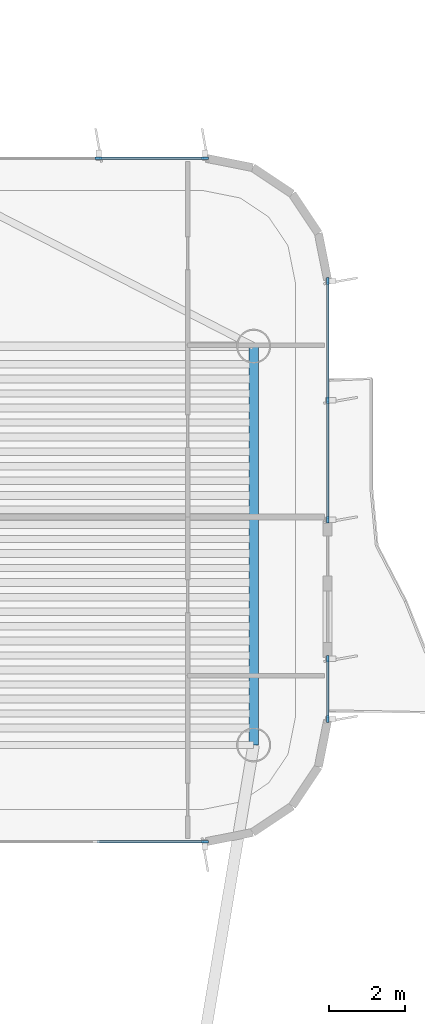
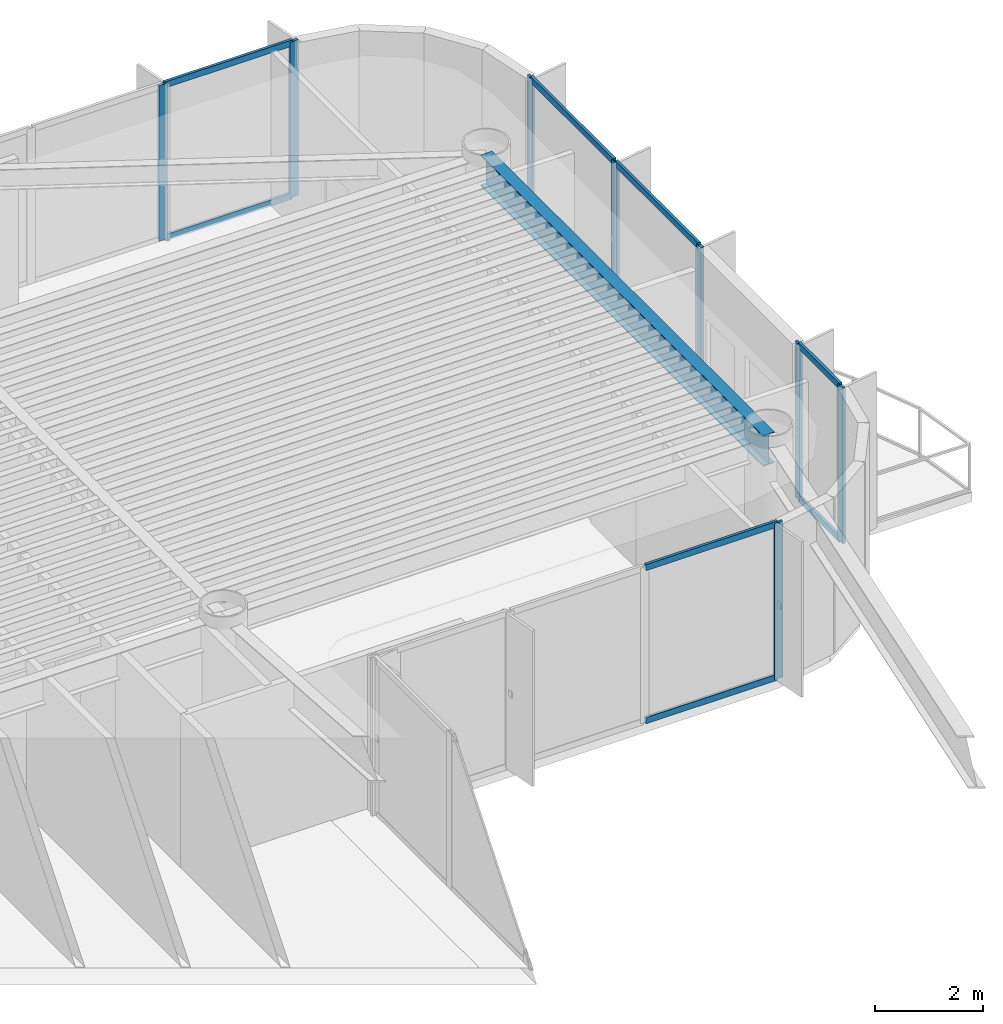
# One storey, part 8 of 16: 18 members, 1 beam, 4 elements without a shape of their own.
"""IFC4 building model written with IfcOpenShell, lengths in metres."""

from ifc_helpers import new_model, si_unit, direction, frame, origin, origin_2d, place, context, subcontext, project, spatial, rectangle, i_section, extrude, source, transform, mapped, material, layer, layer_set, material_profile, profile_set, type_object, element, aggregate, save


model = new_model("IFC4")

# Units and contexts
model_context = context("Model", 3, precision=1e-05, world=origin(), true_north=direction((0.0, 1.0)))
body_context = subcontext(model_context, "Body", "Model", "MODEL_VIEW")
ifc_project = project(units=[si_unit("LENGTHUNIT", "METRE"), si_unit("AREAUNIT", "SQUARE_METRE"), si_unit("VOLUMEUNIT", "CUBIC_METRE"), si_unit("PLANEANGLEUNIT", "RADIAN"), si_unit("MASSUNIT", "GRAM", prefix="KILO")], contexts=[model_context])

# Site, building, storey
site_placement = place(None, origin())
site = spatial("IfcSite", under=ifc_project, at=site_placement, CompositionType="ELEMENT")
building_placement = place(site_placement, origin())
building = spatial("IfcBuilding", under=site, at=building_placement, Name="Brelvock Crest Care Tower", CompositionType="ELEMENT")
storey_placement = place(building_placement, frame((0.0, 0.0, 226.800048828125)))
storey = spatial("IfcBuildingStorey", under=building, at=storey_placement, Name="L57", CompositionType="ELEMENT", Elevation=226.800048828125)

# Beam
ifc_material_1 = material(Name="Steel Grade 350", Category="steel")
ifc_material_profile_1 = material_profile(ifc_material_1, i_section(OverallWidth=0.25, OverallDepth=0.699951171875, WebThickness=0.011962890625, FlangeThickness=0.02001953125, at=origin_2d()), Name="700WB150")
ifc_profile_set_1 = profile_set([ifc_material_profile_1], Name="Steel Grade 350")
beam_type = type_object("IfcBeamType", Name="BM-G4", PredefinedType="BEAM", material=ifc_profile_set_1)
shared_shape_1 = source(origin(), body_context, "Body", "SweptSolid", [
    extrude(i_section(OverallWidth=0.25, OverallDepth=0.699951171875, WebThickness=0.011962890625, FlangeThickness=0.02001953125, at=origin_2d()), origin(), (0.0, 0.0, 1.0), 10.5),
])
beam_placement = place(storey_placement, frame((52.35009765625, 43.949951171875, 3.179931640625), z_axis=(0.0, 1.0, 0.0), x_axis=(-1.0, 0.0, 0.0)))
element("IfcBeam", 1, at=beam_placement, inside=storey, type_object=beam_type, Name="BM-TWR-L57-02", PredefinedType="BEAM", context=body_context, shape_type="MappedRepresentation", body=[
    mapped(shared_shape_1, transform((0.0, 0.0, 0.0), x_axis=(1.0, 0.0, 0.0), y_axis=(0.0, 1.0, 0.0), z_axis=(0.0, 0.0, 1.0), scale=1.0)),
])

# Curtain wall, members
ifc_material_2 = material(Name="Dark Glass Double Glazed Low-E", Category="glass")
ifc_layer = layer(ifc_material_2, 0.239990234375, Name="CWS-5")
ifc_layer_set = layer_set([ifc_layer], Name="Dark Glass Double Glazed Low-E")
curtain_wall_type = type_object("IfcCurtainWallType", Name="CWS-5", PredefinedType="NOTDEFINED", material=ifc_layer_set)
curtain_wall_1_placement = place(storey_placement, origin())
curtain_wall_1 = element("IfcCurtainWall", 2, at=curtain_wall_1_placement, inside=storey, type_object=curtain_wall_type, Name="L57 Curtain Wall E34", PredefinedType="NOTDEFINED")
ifc_material_3 = material(Name="Aluminium 6063-T6", Category="aluminium")
ifc_material_profile_2 = material_profile(ifc_material_3, rectangle(XDim=0.06005859375, YDim=0.179931640625, at=origin_2d()), Name="ALU60x180")
ifc_profile_set_2 = profile_set([ifc_material_profile_2], Name="Aluminium 6063-T6")
member_type_1 = type_object("IfcMemberType", Name="CWM-2", PredefinedType="MULLION", material=ifc_profile_set_2)
shared_shape_2 = source(origin(), body_context, "Body", "SweptSolid", [
    extrude(rectangle(XDim=0.06005859375, YDim=0.179931640625, at=origin_2d()), origin(), (0.0, 0.0, 1.0), 3.530029296875),
])
member_1_placement = place(storey_placement, frame((48.2666015625, 59.39990234375, 0.0), z_axis=(0.0, 0.0, 1.0), x_axis=(0.0, 1.0, 0.0)))
member_1 = element("IfcMember", 3, at=member_1_placement, type_object=member_type_1, Name="CW-5 mullion 3", PredefinedType="MULLION", context=body_context, shape_type="MappedRepresentation", body=[
    mapped(shared_shape_2, transform((0.0, 0.0, 0.0), x_axis=(1.0, 0.0, 0.0), y_axis=(0.0, 1.0, 0.0), z_axis=(0.0, 0.0, 1.0), scale=1.0)),
])
member_2_placement = place(storey_placement, frame((51.070068359375, 59.39990234375, 0.0), z_axis=(0.0, 0.0, 1.0), x_axis=(0.0, 1.0, 0.0)))
member_2 = element("IfcMember", 4, at=member_2_placement, type_object=member_type_1, Name="CW-5 mullion 4", PredefinedType="MULLION", context=body_context, shape_type="MappedRepresentation", body=[
    mapped(shared_shape_2, transform((0.0, 0.0, 0.0), x_axis=(1.0, 0.0, 0.0), y_axis=(0.0, 1.0, 0.0), z_axis=(0.0, 0.0, 1.0), scale=1.0)),
])

curtain_wall_2_placement = place(storey_placement, origin())
curtain_wall_2 = element("IfcCurtainWall", 5, at=curtain_wall_2_placement, inside=storey, type_object=curtain_wall_type, Name="L57 Curtain Wall E39A", PredefinedType="NOTDEFINED")
member_3_placement = place(storey_placement, frame((54.300048828125, 56.169921875, 0.0), z_axis=(0.0, 0.0, 1.0), x_axis=(1.0, 0.0, 0.0)))
member_3 = element("IfcMember", 6, at=member_3_placement, type_object=member_type_1, Name="CW-5 mullion 1", PredefinedType="MULLION", context=body_context, shape_type="MappedRepresentation", body=[
    mapped(shared_shape_2, transform((0.0, 0.0, 0.0), x_axis=(1.0, 0.0, 0.0), y_axis=(0.0, 1.0, 0.0), z_axis=(0.0, 0.0, 1.0), scale=1.0)),
])
member_4_placement = place(storey_placement, frame((54.300048828125, 53.02490234375, 0.0), z_axis=(0.0, 0.0, 1.0), x_axis=(1.0, 0.0, 0.0)))
member_4 = element("IfcMember", 7, at=member_4_placement, type_object=member_type_1, Name="CW-5 mullion 2", PredefinedType="MULLION", context=body_context, shape_type="MappedRepresentation", body=[
    mapped(shared_shape_2, transform((0.0, 0.0, 0.0), x_axis=(1.0, 0.0, 0.0), y_axis=(0.0, 1.0, 0.0), z_axis=(0.0, 0.0, 1.0), scale=1.0)),
])
member_5_placement = place(storey_placement, frame((54.300048828125, 49.8798828125, 0.0), z_axis=(0.0, 0.0, 1.0), x_axis=(1.0, 0.0, 0.0)))
member_5 = element("IfcMember", 8, at=member_5_placement, type_object=member_type_1, Name="CW-5 mullion 3", PredefinedType="MULLION", context=body_context, shape_type="MappedRepresentation", body=[
    mapped(shared_shape_2, transform((0.0, 0.0, 0.0), x_axis=(1.0, 0.0, 0.0), y_axis=(0.0, 1.0, 0.0), z_axis=(0.0, 0.0, 1.0), scale=1.0)),
])

curtain_wall_3_placement = place(storey_placement, origin())
curtain_wall_3 = element("IfcCurtainWall", 9, at=curtain_wall_3_placement, inside=storey, type_object=curtain_wall_type, Name="L57 Curtain Wall E39B", PredefinedType="NOTDEFINED")
member_6_placement = place(storey_placement, frame((54.300048828125, 46.219970703125, 0.0), z_axis=(0.0, 0.0, 1.0), x_axis=(1.0, 0.0, 0.0)))
member_6 = element("IfcMember", 10, at=member_6_placement, type_object=member_type_1, Name="CW-5 mullion 1", PredefinedType="MULLION", context=body_context, shape_type="MappedRepresentation", body=[
    mapped(shared_shape_2, transform((0.0, 0.0, 0.0), x_axis=(1.0, 0.0, 0.0), y_axis=(0.0, 1.0, 0.0), z_axis=(0.0, 0.0, 1.0), scale=1.0)),
])
member_7_placement = place(storey_placement, frame((54.300048828125, 44.6298828125, 0.0), z_axis=(0.0, 0.0, 1.0), x_axis=(1.0, 0.0, 0.0)))
member_7 = element("IfcMember", 11, at=member_7_placement, type_object=member_type_1, Name="CW-5 mullion 2", PredefinedType="MULLION", context=body_context, shape_type="MappedRepresentation", body=[
    mapped(shared_shape_2, transform((0.0, 0.0, 0.0), x_axis=(1.0, 0.0, 0.0), y_axis=(0.0, 1.0, 0.0), z_axis=(0.0, 0.0, 1.0), scale=1.0)),
])

# Curtain wall, member
curtain_wall_4_placement = place(storey_placement, origin())
curtain_wall_4 = element("IfcCurtainWall", 12, at=curtain_wall_4_placement, inside=storey, type_object=curtain_wall_type, Name="L57 Curtain Wall E44", PredefinedType="NOTDEFINED")
member_8_placement = place(storey_placement, frame((51.070068359375, 41.39990234375, 0.0), z_axis=(0.0, 0.0, 1.0), x_axis=(0.0, -1.0, 0.0)))
member_8 = element("IfcMember", 13, at=member_8_placement, type_object=member_type_1, Name="CW-5 mullion 1", PredefinedType="MULLION", context=body_context, shape_type="MappedRepresentation", body=[
    mapped(shared_shape_2, transform((0.0, 0.0, 0.0), x_axis=(1.0, 0.0, 0.0), y_axis=(0.0, 1.0, 0.0), z_axis=(0.0, 0.0, 1.0), scale=1.0)),
])

# Member
ifc_material_profile_3 = material_profile(ifc_material_3, rectangle(XDim=0.06005859375, YDim=0.139892578125, at=origin_2d()), Name="ALU60x140")
ifc_profile_set_3 = profile_set([ifc_material_profile_3], Name="Aluminium 6063-T6")
member_type_2 = type_object("IfcMemberType", Name="CWT-2", PredefinedType="USERDEFINED", material=ifc_profile_set_3)
shared_shape_3 = source(origin(), body_context, "Body", "SweptSolid", [
    extrude(rectangle(XDim=0.06005859375, YDim=0.139892578125, at=origin_2d()), origin(), (0.0, 0.0, 1.0), 1.530029296875),
])
member_9_placement = place(storey_placement, frame((54.300048828125, 46.18994140625, 0.030029296875), z_axis=(0.0, -1.0, 0.0), x_axis=(1.0, 0.0, 0.0)))
member_9 = element("IfcMember", 14, at=member_9_placement, type_object=member_type_2, Name="CW-5 transom 1.1", ObjectType="TRANSOM", PredefinedType="USERDEFINED", context=body_context, shape_type="MappedRepresentation", body=[
    mapped(shared_shape_3, transform((0.0, 0.0, 0.0), x_axis=(1.0, 0.0, 0.0), y_axis=(0.0, 1.0, 0.0), z_axis=(0.0, 0.0, 1.0), scale=1.0)),
])

member_10_placement = place(storey_placement, frame((54.300048828125, 46.18994140625, 3.5), z_axis=(0.0, -1.0, 0.0), x_axis=(1.0, 0.0, 0.0)))
member_10 = element("IfcMember", 15, at=member_10_placement, type_object=member_type_2, Name="CW-5 transom 1.2", ObjectType="TRANSOM", PredefinedType="USERDEFINED", context=body_context, shape_type="MappedRepresentation", body=[
    mapped(shared_shape_3, transform((0.0, 0.0, 0.0), x_axis=(1.0, 0.0, 0.0), y_axis=(0.0, 1.0, 0.0), z_axis=(0.0, 0.0, 1.0), scale=1.0)),
])

aggregate(curtain_wall_3, [member_6, member_7, member_9, member_10])

shared_shape_4 = source(origin(), body_context, "Body", "SweptSolid", [
    extrude(rectangle(XDim=0.06005859375, YDim=0.139892578125, at=origin_2d()), origin(), (0.0, 0.0, 1.0), 2.81005859375),
])
member_11_placement = place(storey_placement, frame((51.0400390625, 41.39990234375, 0.030029296875), z_axis=(-1.0, 0.0, 0.0), x_axis=(0.0, -1.0, 0.0)))
member_11 = element("IfcMember", 16, at=member_11_placement, type_object=member_type_2, Name="CW-5 transom 1.1", ObjectType="TRANSOM", PredefinedType="USERDEFINED", context=body_context, shape_type="MappedRepresentation", body=[
    mapped(shared_shape_4, transform((0.0, 0.0, 0.0), x_axis=(1.0, 0.0, 0.0), y_axis=(0.0, 1.0, 0.0), z_axis=(0.0, 0.0, 1.0), scale=1.0)),
])

member_12_placement = place(storey_placement, frame((51.0400390625, 41.39990234375, 3.5), z_axis=(-1.0, 0.0, 0.0), x_axis=(0.0, -1.0, 0.0)))
member_12 = element("IfcMember", 17, at=member_12_placement, type_object=member_type_2, Name="CW-5 transom 1.2", ObjectType="TRANSOM", PredefinedType="USERDEFINED", context=body_context, shape_type="MappedRepresentation", body=[
    mapped(shared_shape_4, transform((0.0, 0.0, 0.0), x_axis=(1.0, 0.0, 0.0), y_axis=(0.0, 1.0, 0.0), z_axis=(0.0, 0.0, 1.0), scale=1.0)),
])

aggregate(curtain_wall_4, [member_8, member_11, member_12])

shared_shape_5 = source(origin(), body_context, "Body", "SweptSolid", [
    extrude(rectangle(XDim=0.06005859375, YDim=0.139892578125, at=origin_2d()), origin(), (0.0, 0.0, 1.0), 3.085205078125),
])
member_13_placement = place(storey_placement, frame((54.300048828125, 52.9951171875, 0.030029296875), z_axis=(0.0, -1.0, 0.0), x_axis=(1.0, 0.0, 0.0)))
member_13 = element("IfcMember", 18, at=member_13_placement, type_object=member_type_2, Name="CW-5 transom 2.1", ObjectType="TRANSOM", PredefinedType="USERDEFINED", context=body_context, shape_type="MappedRepresentation", body=[
    mapped(shared_shape_5, transform((0.0, 0.0, 0.0), x_axis=(1.0, 0.0, 0.0), y_axis=(0.0, 1.0, 0.0), z_axis=(0.0, 0.0, 1.0), scale=1.0)),
])

member_14_placement = place(storey_placement, frame((54.300048828125, 52.9951171875, 3.5), z_axis=(0.0, -1.0, 0.0), x_axis=(1.0, 0.0, 0.0)))
member_14 = element("IfcMember", 19, at=member_14_placement, type_object=member_type_2, Name="CW-5 transom 2.2", ObjectType="TRANSOM", PredefinedType="USERDEFINED", context=body_context, shape_type="MappedRepresentation", body=[
    mapped(shared_shape_5, transform((0.0, 0.0, 0.0), x_axis=(1.0, 0.0, 0.0), y_axis=(0.0, 1.0, 0.0), z_axis=(0.0, 0.0, 1.0), scale=1.0)),
])

shared_shape_6 = source(origin(), body_context, "Body", "SweptSolid", [
    extrude(rectangle(XDim=0.06005859375, YDim=0.139892578125, at=origin_2d()), origin(), (0.0, 0.0, 1.0), 3.0849609375),
])
member_15_placement = place(storey_placement, frame((54.300048828125, 56.139892578125, 0.030029296875), z_axis=(0.0, -1.0, 0.0), x_axis=(1.0, 0.0, 0.0)))
member_15 = element("IfcMember", 20, at=member_15_placement, type_object=member_type_2, Name="CW-5 transom 1.1", ObjectType="TRANSOM", PredefinedType="USERDEFINED", context=body_context, shape_type="MappedRepresentation", body=[
    mapped(shared_shape_6, transform((0.0, 0.0, 0.0), x_axis=(1.0, 0.0, 0.0), y_axis=(0.0, 1.0, 0.0), z_axis=(0.0, 0.0, 1.0), scale=1.0)),
])

member_16_placement = place(storey_placement, frame((54.300048828125, 56.139892578125, 3.5), z_axis=(0.0, -1.0, 0.0), x_axis=(1.0, 0.0, 0.0)))
member_16 = element("IfcMember", 21, at=member_16_placement, type_object=member_type_2, Name="CW-5 transom 1.2", ObjectType="TRANSOM", PredefinedType="USERDEFINED", context=body_context, shape_type="MappedRepresentation", body=[
    mapped(shared_shape_6, transform((0.0, 0.0, 0.0), x_axis=(1.0, 0.0, 0.0), y_axis=(0.0, 1.0, 0.0), z_axis=(0.0, 0.0, 1.0), scale=1.0)),
])

aggregate(curtain_wall_2, [member_3, member_4, member_5, member_15, member_16, member_13, member_14])

shared_shape_7 = source(origin(), body_context, "Body", "SweptSolid", [
    extrude(rectangle(XDim=0.06005859375, YDim=0.139892578125, at=origin_2d()), origin(), (0.0, 0.0, 1.0), 2.743408203125),
])
member_17_placement = place(storey_placement, frame((48.296630859375, 59.39990234375, 0.030029296875), z_axis=(1.0, 0.0, 0.0), x_axis=(0.0, 1.0, 0.0)))
member_17 = element("IfcMember", 22, at=member_17_placement, type_object=member_type_2, Name="CW-5 transom 3.1", ObjectType="TRANSOM", PredefinedType="USERDEFINED", context=body_context, shape_type="MappedRepresentation", body=[
    mapped(shared_shape_7, transform((0.0, 0.0, 0.0), x_axis=(1.0, 0.0, 0.0), y_axis=(0.0, 1.0, 0.0), z_axis=(0.0, 0.0, 1.0), scale=1.0)),
])

member_18_placement = place(storey_placement, frame((48.296630859375, 59.39990234375, 3.5), z_axis=(1.0, 0.0, 0.0), x_axis=(0.0, 1.0, 0.0)))
member_18 = element("IfcMember", 23, at=member_18_placement, type_object=member_type_2, Name="CW-5 transom 3.2", ObjectType="TRANSOM", PredefinedType="USERDEFINED", context=body_context, shape_type="MappedRepresentation", body=[
    mapped(shared_shape_7, transform((0.0, 0.0, 0.0), x_axis=(1.0, 0.0, 0.0), y_axis=(0.0, 1.0, 0.0), z_axis=(0.0, 0.0, 1.0), scale=1.0)),
])

aggregate(curtain_wall_1, [member_1, member_2, member_17, member_18])

save(model, "model.ifc")
